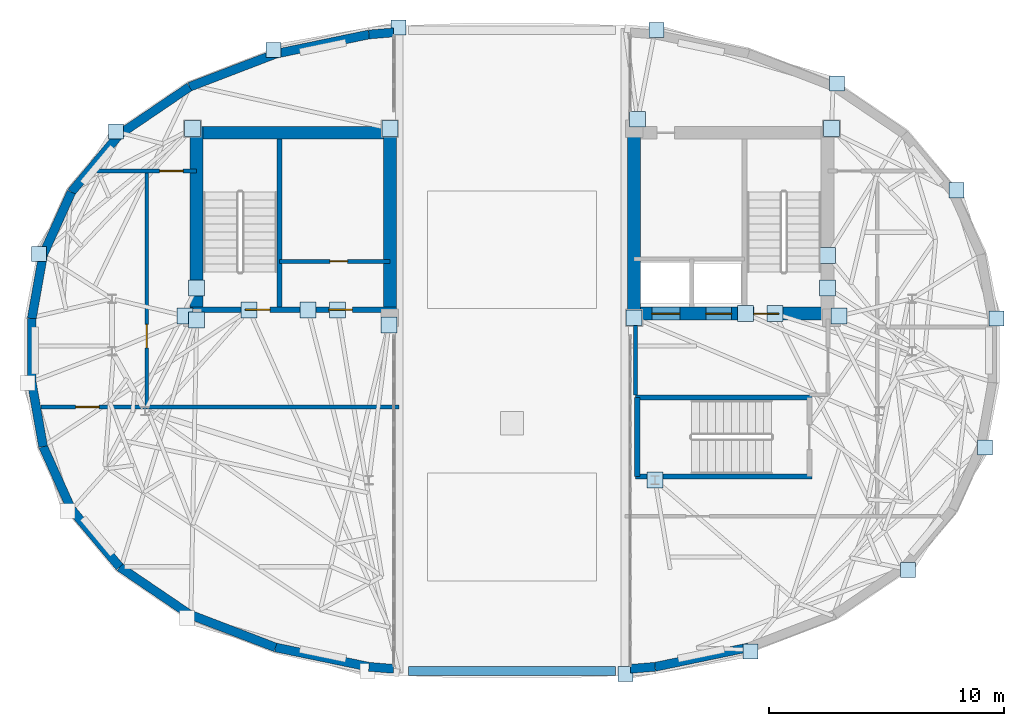
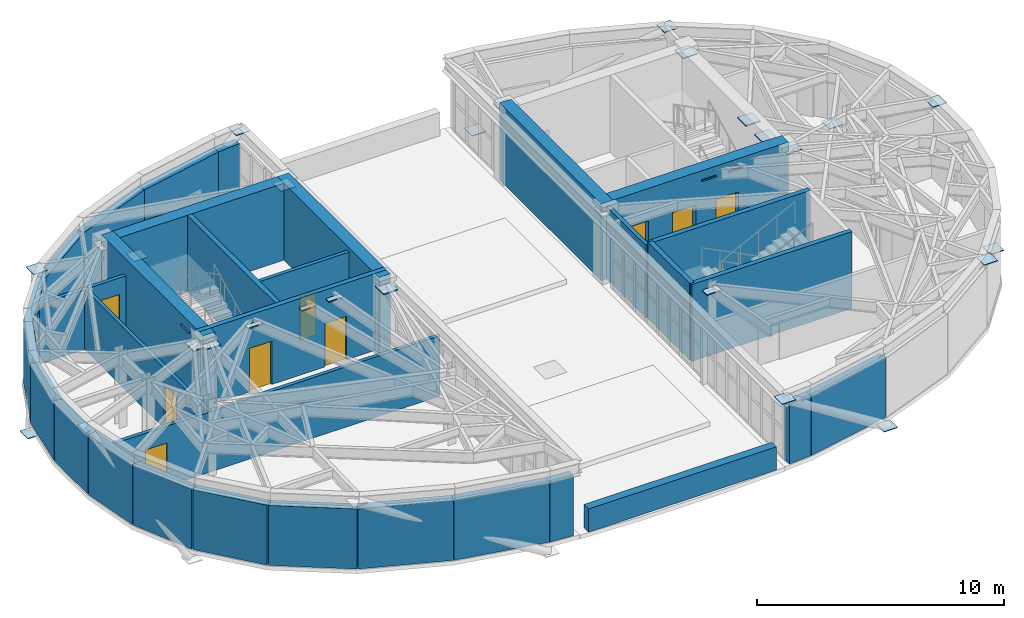
# One storey, part 9 of 13: 33 walls, 30 plates, 9 doors, 9 openings.
"""IFC4 building model written with IfcOpenShell, lengths in metres."""

from ifc_helpers import new_model, si_unit, direction, frame, frame_2d, origin, origin_2d, place, context, subcontext, project, spatial, rectangle, extrude, material, layer, layer_set, type_object, element, fill, save


model = new_model("IFC4")

# Units and contexts
model_context = context("Model", 3, precision=1e-05, world=origin(), true_north=direction((0.0, 1.0)))
body_context = subcontext(model_context, "Body", "Model", "MODEL_VIEW")
ifc_project = project(units=[si_unit("LENGTHUNIT", "METRE"), si_unit("AREAUNIT", "SQUARE_METRE"), si_unit("VOLUMEUNIT", "CUBIC_METRE"), si_unit("PLANEANGLEUNIT", "RADIAN"), si_unit("MASSUNIT", "GRAM", prefix="KILO")], contexts=[model_context])

# Site, building, storey
site_placement = place(None, origin())
site = spatial("IfcSite", under=ifc_project, at=site_placement, CompositionType="ELEMENT")
building_placement = place(site_placement, origin())
building = spatial("IfcBuilding", under=site, at=building_placement, Name="Keldmark Tower", CompositionType="ELEMENT")
storey_placement = place(building_placement, frame((0.0, 0.0, 269.199951171875)))
storey = spatial("IfcBuildingStorey", under=building, at=storey_placement, Name="L76", CompositionType="ELEMENT", Elevation=269.199951171875)

# Plates
ifc_material_1 = material(Name="Steel ASTM A572 Grade 50", Category="steel")
ifc_layer_1 = layer(ifc_material_1, 0.06005859375)
ifc_layer_set_1 = layer_set([ifc_layer_1], Name="Steel ASTM A572 Grade 50")
plate_type_1 = type_object("IfcPlateType", Name="Belt Truss Kink Node Assembly KN01 60 mm", PredefinedType="USERDEFINED", material=ifc_layer_set_1)
for number, where, z_axis, x_axis, name in (
    (1, (13.91162109375, 1.473388671875, 3.30810546875), (0.0, 0.0, 1.0), (1.0, 0.0, 0.0), "L76 Core Wall Cast-In Embed Plate 2184"),
    (2, (-13.91162109375, 1.473388671875, 3.30810546875), (0.0, 0.0, 1.0), (1.0, 0.0, 0.0), "L76 Core Wall Cast-In Embed Plate 2185"),
    (3, (-5.24072265625, 1.08251953125, 3.30810546875), (0.0, 0.0, 1.0), (1.0, 0.0, 0.0), "L76 Core Wall Cast-In Embed Plate 2186"),
    (4, (5.199951171875, 1.39990234375, 3.30810546875), (0.0, 0.0, 1.0), (1.0, 0.0, 0.0), "L76 Core Wall Cast-In Embed Plate 2187"),
    (5, (13.425048828125, 2.675048828125, 3.30810546875), (0.0, 0.0, 1.0), (1.0, 0.0, 0.0), "L76 Core Wall Cast-In Embed Plate 2188"),
    (6, (11.19287109375, 1.574951171875, 3.30810546875), (0.0, 0.0, 1.0), (1.0, 0.0, 0.0), "L76 Core Wall Cast-In Embed Plate 2189"),
    (7, (9.939208984375, 1.574951171875, 3.30810546875), (0.0, 0.0, 1.0), (1.0, 0.0, 0.0), "L76 Core Wall Cast-In Embed Plate 2190"),
    (8, (13.425048828125, 4.050048828125, 3.30810546875), (0.0, 0.0, 1.0), (1.0, 0.0, 0.0), "L76 Core Wall Cast-In Embed Plate 2191"),
    (9, (13.60009765625, 9.449951171875, 3.30810546875), (0.0, 0.0, 1.0), (1.0, 0.0, 0.0), "L76 Core Wall Cast-In Embed Plate 2192"),
    (10, (6.089599609375, -5.512939453125, 3.30810546875), (0.0, 0.0, 1.0), (1.0, 0.0, 0.0), "L76 Core Wall Cast-In Embed Plate 2193"),
    (11, (5.35009765625, 9.85009765625, 3.30810546875), (0.0, 0.0, 1.0), (1.0, 0.0, 0.0), "L76 Core Wall Cast-In Embed Plate 2194"),
    (12, (-13.425048828125, 2.675048828125, 3.30810546875), (0.0, 0.0, 1.0), (1.0, 0.0, 0.0), "L76 Core Wall Cast-In Embed Plate 2195"),
    (13, (-11.19287109375, 1.739990234375, 3.30810546875), (0.0, 0.0, 1.0), (1.0, 0.0, 0.0), "L76 Core Wall Cast-In Embed Plate 2196"),
    (14, (-13.60009765625, 9.449951171875, 3.30810546875), (0.0, 0.0, 1.0), (1.0, 0.0, 0.0), "L76 Core Wall Cast-In Embed Plate 2197"),
    (15, (-7.43212890625, 1.739990234375, 3.30810546875), (0.0, 0.0, 1.0), (1.0, 0.0, 0.0), "L76 Core Wall Cast-In Embed Plate 2198"),
    (16, (-13.425048828125, 1.300048828125, 3.30810546875), (0.0, 0.0, 1.0), (1.0, 0.0, 0.0), "L76 Core Wall Cast-In Embed Plate 2199"),
    (17, (-5.199951171875, 9.449951171875, 3.30810546875), (0.0, 0.0, 1.0), (1.0, 0.0, 0.0), "L76 Core Wall Cast-In Embed Plate 2200"),
    (18, (-8.685791015625, 1.739990234375, 3.30810546875), (0.0, 0.0, 1.0), (1.0, 0.0, 0.0), "L76 Core Wall Cast-In Embed Plate 2201"),
):
    element("IfcPlate", number, at=place(storey_placement, frame(where, z_axis=z_axis, x_axis=x_axis)), inside=storey, type_object=plate_type_1, Name=name, ObjectType="CAP PLATE", PredefinedType="USERDEFINED", context=body_context, shape_type="SweptSolid", body=[
        extrude(rectangle(XDim=0.679931640625, YDim=0.679931640625, at=origin_2d()), origin(), (0.0, 0.0, 1.0), 0.054931640625),
    ])
ifc_material_2 = material(Name="Steel ASTM A572 Grade 50", Category="steel")
ifc_layer_2 = layer(ifc_material_2, 0.030029296875)
ifc_layer_set_2 = layer_set([ifc_layer_2], Name="Steel ASTM A572 Grade 50")
plate_type_2 = type_object("IfcPlateType", Name="Crown Frame End Cap Plate CP01 30 mm", PredefinedType="SHEET", material=ifc_layer_set_2)
for number, where, z_axis, x_axis, name in (
    (19, (6.154296875, 13.644775390625, -0.46484375), (0.0, 0.0, 1.0), (1.0, 0.0, 0.0), "L76 Crown Frame Node Cap E00-0"),
    (20, (13.841796875, 11.381591796875, 3.3349609375), (0.0, 0.0, 1.0), (1.0, 0.0, 0.0), "L76 Crown Frame Node Cap E00-1"),
    (21, (18.927490234375, 6.82763671875, -0.46484375), (0.0, 0.0, 1.0), (1.0, 0.0, 0.0), "L76 Crown Frame Node Cap E04-0"),
    (22, (20.623291015625, 1.369873046875, 3.3349609375), (0.0, 0.0, 1.0), (1.0, 0.0, 0.0), "L76 Crown Frame Node Cap E04-1"),
    (23, (20.139892578125, -4.12158203125, -0.46484375), (0.0, 0.0, 1.0), (1.0, 0.0, 0.0), "L76 Crown Frame Node Cap E08-0"),
    (24, (16.84765625, -9.33251953125, 3.3349609375), (0.0, 0.0, 1.0), (1.0, 0.0, 0.0), "L76 Crown Frame Node Cap E08-1"),
    (25, (10.153076171875, -12.806884765625, -0.46484375), (0.0, 0.0, 1.0), (1.0, 0.0, 0.0), "L76 Crown Frame Node Cap E12-0"),
    (26, (4.8330078125, -13.7548828125, 3.3349609375), (0.0, 0.0, 1.0), (1.0, 0.0, 0.0), "L76 Crown Frame Node Cap E12-1"),
    (27, (-20.139892578125, 4.12158203125, -0.46484375), (0.0, 0.0, 1.0), (1.0, 0.0, 0.0), "L76 Crown Frame Node Cap W08-0"),
    (28, (-16.84765625, 9.33251953125, 3.3349609375), (0.0, 0.0, 1.0), (1.0, 0.0, 0.0), "L76 Crown Frame Node Cap W08-1"),
    (29, (-10.153076171875, 12.806884765625, -0.46484375), (0.0, 0.0, 1.0), (1.0, 0.0, 0.0), "L76 Crown Frame Node Cap W12-0"),
    (30, (-4.8330078125, 13.7548828125, 3.3349609375), (0.0, 0.0, 1.0), (1.0, 0.0, 0.0), "L76 Crown Frame Node Cap W12-1"),
):
    element("IfcPlate", number, at=place(storey_placement, frame(where, z_axis=z_axis, x_axis=x_axis)), inside=storey, type_object=plate_type_2, Name=name, PredefinedType="SHEET", context=body_context, shape_type="SweptSolid", body=[
        extrude(rectangle(XDim=0.639892578125, YDim=0.639892578125, at=origin_2d()), origin(), (0.0, 0.0, 1.0), 0.030029296875),
    ])

# Walls
ifc_material_3 = material(Name="Kasota Buff Limestone Ashlar Masonry", Category="masonry")
ifc_layer_3 = layer(ifc_material_3, 0.3798828125)
ifc_layer_set_3 = layer_set([ifc_layer_3], Name="Kasota Buff Limestone Ashlar Masonry")
wall_type_1 = type_object("IfcWallType", Name="Crown Kasota Limestone Screen Wall 380 mm", PredefinedType="ELEMENTEDWALL", material=ifc_layer_set_3)
wall_1_placement = place(storey_placement, frame((6.090087890625, -13.458740234375, 0.0), z_axis=(0.0, 0.0, 1.0), x_axis=(0.97915503901, 0.203114277148, 0.0)))
element("IfcWall", 31, at=wall_1_placement, inside=storey, type_object=wall_type_1, Name="L76 Crown Limestone Enclosure Wall E13", PredefinedType="ELEMENTEDWALL", context=body_context, shape_type="SweptSolid", body=[
    extrude(rectangle(XDim=4.062744140625, YDim=0.3798828125, at=frame_2d((2.03125, 0.0))), origin(), (0.0, 0.0, 1.0), 2.969970703125),
])
wall_2_placement = place(storey_placement, frame((5.0400390625, -13.544677734375, 0.0), z_axis=(0.0, 0.0, 1.0), x_axis=(0.99666772043, 0.081568713692, 0.0)))
element("IfcWall", 32, at=wall_2_placement, inside=storey, type_object=wall_type_1, Name="L76 Crown Limestone Enclosure Wall E14", PredefinedType="ELEMENTEDWALL", context=body_context, shape_type="SweptSolid", body=[
    extrude(rectangle(XDim=1.053466796875, YDim=0.3798828125, at=frame_2d((0.52685546875, 0.0))), origin(), (0.0, 0.0, 1.0), 2.969970703125),
])
wall_3_placement = place(storey_placement, frame((-10.068115234375, -12.633544921875, 0.0), z_axis=(0.0, 0.0, 1.0), x_axis=(0.97915503901, -0.203114277148, 0.0)))
element("IfcWall", 33, at=wall_3_placement, inside=storey, type_object=wall_type_1, Name="L76 Crown Limestone Enclosure Wall W01", PredefinedType="ELEMENTEDWALL", context=body_context, shape_type="SweptSolid", body=[
    extrude(rectangle(XDim=4.062744140625, YDim=0.3798828125, at=frame_2d((2.03125, 0.0))), origin(), (0.0, 0.0, 1.0), 2.969970703125),
])
wall_4_placement = place(storey_placement, frame((-13.729248046875, -11.227294921875, 0.0), z_axis=(0.0, 0.0, 1.0), x_axis=(0.933505951982, -0.358561902068, 0.0)))
element("IfcWall", 34, at=wall_4_placement, inside=storey, type_object=wall_type_1, Name="L76 Crown Limestone Enclosure Wall W02", PredefinedType="ELEMENTEDWALL", context=body_context, shape_type="SweptSolid", body=[
    extrude(rectangle(XDim=3.921875, YDim=0.3798828125, at=frame_2d((1.9609375, 0.0))), origin(), (0.0, 0.0, 1.0), 2.969970703125),
])
wall_5_placement = place(storey_placement, frame((-16.70263671875, -9.210205078125, 0.0), z_axis=(0.0, 0.0, 1.0), x_axis=(0.827549057152, -0.56139340752, 0.0)))
element("IfcWall", 35, at=wall_5_placement, inside=storey, type_object=wall_type_1, Name="L76 Crown Limestone Enclosure Wall W03", PredefinedType="ELEMENTEDWALL", context=body_context, shape_type="SweptSolid", body=[
    extrude(rectangle(XDim=3.593017578125, YDim=0.3798828125, at=frame_2d((1.79638671875, 0.0))), origin(), (0.0, 0.0, 1.0), 2.969970703125),
])
wall_6_placement = place(storey_placement, frame((-18.757568359375, -6.74755859375, 0.0), z_axis=(0.0, 0.0, 1.0), x_axis=(0.640685893821, -0.76780309029, 0.0)))
element("IfcWall", 36, at=wall_6_placement, inside=storey, type_object=wall_type_1, Name="L76 Crown Limestone Enclosure Wall W04", PredefinedType="ELEMENTEDWALL", context=body_context, shape_type="SweptSolid", body=[
    extrude(rectangle(XDim=3.207275390625, YDim=0.3798828125, at=frame_2d((1.603515625, 0.0))), origin(), (0.0, 0.0, 1.0), 2.969970703125),
])
wall_7_placement = place(storey_placement, frame((-19.958740234375, -4.08349609375, 0.0), z_axis=(0.0, 0.0, 1.0), x_axis=(0.411031522025, -0.911621131777, 0.0)))
element("IfcWall", 37, at=wall_7_placement, inside=storey, type_object=wall_type_1, Name="L76 Crown Limestone Enclosure Wall W05", PredefinedType="ELEMENTEDWALL", context=body_context, shape_type="SweptSolid", body=[
    extrude(rectangle(XDim=2.92236328125, YDim=0.3798828125, at=frame_2d((1.461181640625, 0.0))), origin(), (0.0, 0.0, 1.0), 2.969970703125),
])
wall_8_placement = place(storey_placement, frame((-20.442138671875, -1.36083984375, 0.0), z_axis=(0.0, 0.0, 1.0), x_axis=(0.174812712861, -0.984601703951, 0.0)))
element("IfcWall", 38, at=wall_8_placement, inside=storey, type_object=wall_type_1, Name="L76 Crown Limestone Enclosure Wall W06", PredefinedType="ELEMENTEDWALL", context=body_context, shape_type="SweptSolid", body=[
    extrude(rectangle(XDim=2.76513671875, YDim=0.3798828125, at=frame_2d((1.382568359375, 0.0))), origin(), (0.0, 0.0, 1.0), 2.969970703125),
])
wall_9_placement = place(storey_placement, frame((-20.442138671875, 1.36083984375, 0.0), z_axis=(0.0, 0.0, 1.0), x_axis=(0.0, -1.0, 0.0)))
element("IfcWall", 39, at=wall_9_placement, inside=storey, type_object=wall_type_1, Name="L76 Crown Limestone Enclosure Wall W07", PredefinedType="ELEMENTEDWALL", context=body_context, shape_type="SweptSolid", body=[
    extrude(rectangle(XDim=2.7216796875, YDim=0.3798828125, at=frame_2d((1.36083984375, 0.0))), origin(), (0.0, 0.0, 1.0), 2.969970703125),
])
wall_10_placement = place(storey_placement, frame((-19.958740234375, 4.08349609375, 0.0), z_axis=(0.0, 0.0, 1.0), x_axis=(-0.174812712861, -0.984601703951, 0.0)))
element("IfcWall", 40, at=wall_10_placement, inside=storey, type_object=wall_type_1, Name="L76 Crown Limestone Enclosure Wall W08", PredefinedType="ELEMENTEDWALL", context=body_context, shape_type="SweptSolid", body=[
    extrude(rectangle(XDim=2.76513671875, YDim=0.3798828125, at=frame_2d((1.382568359375, 0.0))), origin(), (0.0, 0.0, 1.0), 2.969970703125),
])
wall_11_placement = place(storey_placement, frame((-18.757568359375, 6.74755859375, 0.0), z_axis=(0.0, 0.0, 1.0), x_axis=(-0.411031522025, -0.911621131777, 0.0)))
element("IfcWall", 41, at=wall_11_placement, inside=storey, type_object=wall_type_1, Name="L76 Crown Limestone Enclosure Wall W09", PredefinedType="ELEMENTEDWALL", context=body_context, shape_type="SweptSolid", body=[
    extrude(rectangle(XDim=2.92236328125, YDim=0.3798828125, at=frame_2d((1.461181640625, 0.0))), origin(), (0.0, 0.0, 1.0), 2.969970703125),
])
wall_12_placement = place(storey_placement, frame((-16.70263671875, 9.210205078125, 0.0), z_axis=(0.0, 0.0, 1.0), x_axis=(-0.640685893821, -0.76780309029, 0.0)))
element("IfcWall", 42, at=wall_12_placement, inside=storey, type_object=wall_type_1, Name="L76 Crown Limestone Enclosure Wall W10", PredefinedType="ELEMENTEDWALL", context=body_context, shape_type="SweptSolid", body=[
    extrude(rectangle(XDim=3.207275390625, YDim=0.3798828125, at=frame_2d((1.603515625, 0.0))), origin(), (0.0, 0.0, 1.0), 2.969970703125),
])
wall_13_placement = place(storey_placement, frame((-13.729248046875, 11.227294921875, 0.0), z_axis=(0.0, 0.0, 1.0), x_axis=(-0.827549057152, -0.56139340752, 0.0)))
element("IfcWall", 43, at=wall_13_placement, inside=storey, type_object=wall_type_1, Name="L76 Crown Limestone Enclosure Wall W11", PredefinedType="ELEMENTEDWALL", context=body_context, shape_type="SweptSolid", body=[
    extrude(rectangle(XDim=3.593017578125, YDim=0.3798828125, at=frame_2d((1.79638671875, 0.0))), origin(), (0.0, 0.0, 1.0), 2.969970703125),
])
wall_14_placement = place(storey_placement, frame((-10.068115234375, 12.633544921875, 0.0), z_axis=(0.0, 0.0, 1.0), x_axis=(-0.933505951982, -0.358561902068, 0.0)))
element("IfcWall", 44, at=wall_14_placement, inside=storey, type_object=wall_type_1, Name="L76 Crown Limestone Enclosure Wall W12", PredefinedType="ELEMENTEDWALL", context=body_context, shape_type="SweptSolid", body=[
    extrude(rectangle(XDim=3.921875, YDim=0.3798828125, at=frame_2d((1.9609375, 0.0))), origin(), (0.0, 0.0, 1.0), 2.969970703125),
])
wall_15_placement = place(storey_placement, frame((-6.090087890625, 13.458740234375, 0.0), z_axis=(0.0, 0.0, 1.0), x_axis=(-0.97915503901, -0.203114277148, 0.0)))
element("IfcWall", 45, at=wall_15_placement, inside=storey, type_object=wall_type_1, Name="L76 Crown Limestone Enclosure Wall W13", PredefinedType="ELEMENTEDWALL", context=body_context, shape_type="SweptSolid", body=[
    extrude(rectangle(XDim=4.062744140625, YDim=0.3798828125, at=frame_2d((2.03125, 0.0))), origin(), (0.0, 0.0, 1.0), 2.969970703125),
])
for number, where, z_axis, x_axis, name in (
    (46, (-5.0400390625, 13.544677734375, 0.0), (0.0, 0.0, 1.0), (-0.99666772043, -0.081568713692, 0.0), "L76 Crown Limestone Enclosure Wall W14"),
    (47, (-6.090087890625, -13.458740234375, 0.0), (0.0, 0.0, 1.0), (0.99666772043, -0.081568713692, 0.0), "L76 Crown Limestone Enclosure Wall W16"),
):
    element("IfcWall", number, at=place(storey_placement, frame(where, z_axis=z_axis, x_axis=x_axis)), inside=storey, type_object=wall_type_1, Name=name, PredefinedType="ELEMENTEDWALL", context=body_context, shape_type="SweptSolid", body=[
        extrude(rectangle(XDim=1.053466796875, YDim=0.3798828125, at=frame_2d((0.52685546875, 0.0))), origin(), (0.0, 0.0, 1.0), 2.969970703125),
    ])
wall_16_placement = place(storey_placement, frame((-4.39990234375, -13.638916015625, 0.0), z_axis=(0.0, 0.0, 1.0), x_axis=(1.0, 0.0, 0.0)))
element("IfcWall", 48, at=wall_16_placement, inside=storey, type_object=wall_type_1, Name="L76 Crown Sky-Slot Maintenance Parapet S", PredefinedType="PARAPET", context=body_context, shape_type="SweptSolid", body=[
    extrude(rectangle(XDim=8.7998046875, YDim=0.3798828125, at=frame_2d((4.39990234375, 0.0))), origin(), (0.0, 0.0, 1.0), 1.150146484375),
])
ifc_material_4 = material(Name="Concrete C50/60", Category="concrete")
ifc_layer_4 = layer(ifc_material_4, 0.550048828125)
ifc_layer_set_4 = layer_set([ifc_layer_4], Name="Concrete C50/60")
wall_type_2 = type_object("IfcWallType", Name="High-Rise Core Shear Wall 550 mm", PredefinedType="SHEAR", material=ifc_layer_set_4)
wall_17_placement = place(storey_placement, frame((-13.425048828125, 1.300048828125, 0.0), z_axis=(0.0, 0.0, 1.0), x_axis=(0.0, 1.0, 0.0)))
element("IfcWall", 49, at=wall_17_placement, inside=storey, type_object=wall_type_2, Name="L76 West Crown Core West Wall", PredefinedType="SHEAR", context=body_context, shape_type="SweptSolid", body=[
    extrude(rectangle(XDim=8.25, YDim=0.550048828125, at=frame_2d((4.125, 0.0))), origin(), (0.0, 0.0, 1.0), 3.800048828125),
])
wall_18_placement = place(storey_placement, frame((-13.699951171875, 9.27490234375, 0.0), z_axis=(0.0, 0.0, 1.0), x_axis=(1.0, 0.0, 0.0)))
element("IfcWall", 50, at=wall_18_placement, inside=storey, type_object=wall_type_2, Name="L76 West Crown Core North Wall", PredefinedType="SHEAR", context=body_context, shape_type="SweptSolid", body=[
    extrude(rectangle(XDim=8.77490234375, YDim=0.550048828125, at=frame_2d((4.387451171875, 0.0))), origin(), (0.0, 0.0, 1.0), 3.800048828125),
])
wall_19_placement = place(storey_placement, frame((-5.199951171875, 1.300048828125, 0.0), z_axis=(0.0, 0.0, 1.0), x_axis=(0.0, 1.0, 0.0)))
element("IfcWall", 51, at=wall_19_placement, inside=storey, type_object=wall_type_2, Name="L76 West Crown Core Slot Wall", PredefinedType="SHEAR", context=body_context, shape_type="SweptSolid", body=[
    extrude(rectangle(XDim=8.25, YDim=0.550048828125, at=frame_2d((4.125, 0.0))), origin(), (0.0, 0.0, 1.0), 3.800048828125),
])

# Wall, openings, doors
wall_20_placement = place(storey_placement, frame((13.699951171875, 1.574951171875, 0.0), z_axis=(0.0, 0.0, 1.0), x_axis=(-1.0, 0.0, 0.0)))
wall_20 = element("IfcWall", 52, at=wall_20_placement, inside=storey, type_object=wall_type_2, Name="L76 East Crown Core South Wall", PredefinedType="SHEAR", context=body_context, shape_type="SweptSolid", body=[
    extrude(rectangle(XDim=8.77490234375, YDim=0.550048828125, at=frame_2d((4.387451171875, 0.0))), origin(), (0.0, 0.0, 1.0), 3.800048828125),
])
opening_1_placement = place(wall_20_placement, frame((2.35009765625, 0.0, 0.0)))
opening_1 = element("IfcOpeningElement", 53, at=opening_1_placement, cuts=wall_20, Name="Opening D-ST105", PredefinedType="OPENING", context=body_context, shape_type="SweptSolid", body=[
    extrude(rectangle(XDim=1.050048828125, YDim=2.14990234375, at=frame_2d((0.52490234375, 1.074951171875))), frame((0.0, 0.284912109375, 0.0), z_axis=(0.0, -1.0, 0.0), x_axis=(1.0, 0.0, 0.0)), (0.0, 0.0, 1.0), 0.570068359375),
])
opening_2_placement = place(wall_20_placement, frame((6.550048828125, 0.0, 0.0)))
opening_2 = element("IfcOpeningElement", 54, at=opening_2_placement, cuts=wall_20, Name="Opening LD-120", PredefinedType="OPENING", context=body_context, shape_type="SweptSolid", body=[
    extrude(rectangle(XDim=1.199951171875, YDim=2.199951171875, at=frame_2d((0.60009765625, 1.10009765625))), frame((0.0, 0.284912109375, 0.0), z_axis=(0.0, -1.0, 0.0), x_axis=(1.0, 0.0, 0.0)), (0.0, 0.0, 1.0), 0.570068359375),
])
opening_3_placement = place(wall_20_placement, frame((4.35009765625, 0.0, 0.0)))
opening_3 = element("IfcOpeningElement", 55, at=opening_3_placement, cuts=wall_20, Name="Opening LD-110", PredefinedType="OPENING", context=body_context, shape_type="SweptSolid", body=[
    extrude(rectangle(XDim=1.10009765625, YDim=2.199951171875, at=frame_2d((0.550048828125, 1.10009765625))), frame((0.0, 0.284912109375, 0.0), z_axis=(0.0, -1.0, 0.0), x_axis=(1.0, 0.0, 0.0)), (0.0, 0.0, 1.0), 0.570068359375),
])
ifc_material_5 = material(Name="Brushed Bronze Hoistway Sliding Leaf", Category="metal")
door_type_1 = type_object("IfcDoorType", Name="Lift Landing Sliding Door 1100x2200", OperationType="SLIDING_TO_LEFT", PredefinedType="DOOR", material=ifc_material_5)
door_1_placement = place(opening_3_placement, origin())
door_1 = element("IfcDoor", 56, at=door_1_placement, inside=storey, type_object=door_type_1, Name="L76 Lift Landing Sliding Door 1100x2200 LD-EL-FS2-L76", OperationType="SLIDING_TO_LEFT", OverallHeight=2.199951171875, OverallWidth=1.10009765625, PredefinedType="DOOR", context=body_context, shape_type="SweptSolid", body=[
    extrude(rectangle(XDim=1.10009765625, YDim=2.199951171875, at=frame_2d((0.550048828125, 1.10009765625))), frame((0.0, 0.02490234375, 0.0), z_axis=(0.0, -1.0, 0.0), x_axis=(1.0, 0.0, 0.0)), (0.0, 0.0, 1.0), 0.050048828125),
])
fill(opening_3, door_1)
ifc_material_6 = material(Name="Heavy-Duty Brushed Metal Hoistway Sliding Leaf", Category="metal")
door_type_2 = type_object("IfcDoorType", Name="Service Lift Sliding Door 1200x2200", OperationType="SLIDING_TO_RIGHT", PredefinedType="DOOR", material=ifc_material_6)
door_2_placement = place(opening_2_placement, origin())
door_2 = element("IfcDoor", 57, at=door_2_placement, inside=storey, type_object=door_type_2, Name="L76 Service Lift Sliding Door 1200x2200 LD-EL-SV1-L76", OperationType="SLIDING_TO_RIGHT", OverallHeight=2.199951171875, OverallWidth=1.199951171875, PredefinedType="DOOR", context=body_context, shape_type="SweptSolid", body=[
    extrude(rectangle(XDim=1.199951171875, YDim=2.199951171875, at=frame_2d((0.60009765625, 1.10009765625))), frame((0.0, 0.02490234375, 0.0), z_axis=(0.0, -1.0, 0.0), x_axis=(1.0, 0.0, 0.0)), (0.0, 0.0, 1.0), 0.050048828125),
])
fill(opening_2, door_2)
ifc_material_7 = material(Name="Hollow Metal Fire-Rated Door Assembly", Category="metal")
door_type_3 = type_object("IfcDoorType", Name="Stair Fire Door 1050x2150", OperationType="NOTDEFINED", PredefinedType="DOOR", material=ifc_material_7)
door_3_placement = place(opening_1_placement, origin())
door_3 = element("IfcDoor", 58, at=door_3_placement, inside=storey, type_object=door_type_3, Name="L76 Stair Fire Door 1050x2150 D-ST2-L76", OperationType="SINGLE_SWING_LEFT", OverallHeight=2.14990234375, OverallWidth=1.050048828125, PredefinedType="DOOR", context=body_context, shape_type="SweptSolid", body=[
    extrude(rectangle(XDim=1.050048828125, YDim=2.14990234375, at=frame_2d((0.52490234375, 1.074951171875))), frame((0.0, 0.02490234375, 0.0), z_axis=(0.0, -1.0, 0.0), x_axis=(1.0, 0.0, 0.0)), (0.0, 0.0, 1.0), 0.050048828125),
])
fill(opening_1, door_3)

# Wall
wall_21_placement = place(storey_placement, frame((5.199951171875, 1.300048828125, 0.0), z_axis=(0.0, 0.0, 1.0), x_axis=(0.0, 1.0, 0.0)))
element("IfcWall", 59, at=wall_21_placement, inside=storey, type_object=wall_type_2, Name="L76 East Crown Core Slot Wall", PredefinedType="SHEAR", context=body_context, shape_type="SweptSolid", body=[
    extrude(rectangle(XDim=8.25, YDim=0.550048828125, at=frame_2d((4.125, 0.0))), origin(), (0.0, 0.0, 1.0), 3.800048828125),
])

# Wall, opening, door
ifc_material_8 = material(Name="Type X Fire-Rated Gypsum Partition Assembly", Category="gypsum")
ifc_layer_5 = layer(ifc_material_8, 0.1650390625)
ifc_layer_set_5 = layer_set([ifc_layer_5], Name="Type X Fire-Rated Gypsum Partition Assembly")
wall_type_3 = type_object("IfcWallType", Name="Rated Partition 165 mm", PredefinedType="PARTITIONING", material=ifc_layer_set_5)
wall_22_placement = place(storey_placement, frame((-5.199951171875, 3.800048828125, 0.0), z_axis=(0.0, 0.0, 1.0), x_axis=(-1.0, 0.0, 0.0)))
wall_22 = element("IfcWall", 60, at=wall_22_placement, inside=storey, type_object=wall_type_3, Name="L76 Rated Partition 165 mm WC-LOB-E", PredefinedType="PARTITIONING", context=body_context, shape_type="SweptSolid", body=[
    extrude(rectangle(XDim=4.68994140625, YDim=0.1650390625, at=frame_2d((2.344970703125, 0.0))), origin(), (0.0, 0.0, 1.0), 3.60009765625),
])
opening_4_placement = place(wall_22_placement, frame((1.800048828125, 0.0, 0.0)))
opening_4 = element("IfcOpeningElement", 61, at=opening_4_placement, cuts=wall_22, Name="Opening D-RS075", PredefinedType="OPENING", context=body_context, shape_type="SweptSolid", body=[
    extrude(rectangle(XDim=0.75, YDim=2.10009765625, at=frame_2d((0.375, 1.050048828125))), frame((0.0, 0.092529296875, 0.0), z_axis=(0.0, -1.0, 0.0), x_axis=(1.0, 0.0, 0.0)), (0.0, 0.0, 1.0), 0.18505859375),
])
ifc_material_9 = material(Name="Galvanized Fire-Rated Access Leaf", Category="metal")
door_type_4 = type_object("IfcDoorType", Name="Riser Access Door 750x2100", OperationType="NOTDEFINED", PredefinedType="DOOR", material=ifc_material_9)
door_4_placement = place(opening_4_placement, origin())
door_4 = element("IfcDoor", 62, at=door_4_placement, inside=storey, type_object=door_type_4, Name="L76 Riser Access Door 750x2100 D-WC-RIS-L76", OperationType="SINGLE_SWING_RIGHT", OverallHeight=2.10009765625, OverallWidth=0.75, PredefinedType="DOOR", context=body_context, shape_type="SweptSolid", body=[
    extrude(rectangle(XDim=0.75, YDim=2.10009765625, at=frame_2d((0.375, 1.050048828125))), frame((0.0, 0.02490234375, 0.0), z_axis=(0.0, -1.0, 0.0), x_axis=(1.0, 0.0, 0.0)), (0.0, 0.0, 1.0), 0.050048828125),
])
fill(opening_4, door_4)

# Wall
wall_23_placement = place(storey_placement, frame((5.260009765625, -1.8798828125, 0.0), z_axis=(0.0, 0.0, 1.0), x_axis=(0.0, 1.0, 0.0)))
element("IfcWall", 63, at=wall_23_placement, inside=storey, type_object=wall_type_3, Name="L76 Rated Partition 165 mm EC-FSAE-W", PredefinedType="PARTITIONING", context=body_context, shape_type="SweptSolid", body=[
    extrude(rectangle(XDim=3.22998046875, YDim=0.1650390625, at=frame_2d((1.614990234375, 0.0))), origin(), (0.0, 0.0, 1.0), 3.60009765625),
])

# Wall, opening, door
wall_24_placement = place(storey_placement, frame((-20.056396484375, -2.39990234375, 0.0), z_axis=(0.0, 0.0, 1.0), x_axis=(1.0, 0.0, 0.0)))
wall_24 = element("IfcWall", 64, at=wall_24_placement, inside=storey, type_object=wall_type_3, Name="L76 Rated Partition 165 mm WC-SCOR", PredefinedType="PARTITIONING", context=body_context, shape_type="SweptSolid", body=[
    extrude(rectangle(XDim=15.25634765625, YDim=0.1650390625, at=frame_2d((7.628173828125, 0.0))), origin(), (0.0, 0.0, 1.0), 2.987060546875),
])
opening_5_placement = place(wall_24_placement, frame((1.481689453125, 0.0, 0.0)))
opening_5 = element("IfcOpeningElement", 65, at=opening_5_placement, cuts=wall_24, Name="Opening D-FD100", PredefinedType="OPENING", context=body_context, shape_type="SweptSolid", body=[
    extrude(rectangle(XDim=1.0, YDim=2.14990234375, at=frame_2d((0.5, 1.074951171875))), frame((0.0, 0.092529296875, 0.0), z_axis=(0.0, -1.0, 0.0), x_axis=(1.0, 0.0, 0.0)), (0.0, 0.0, 1.0), 0.18505859375),
])
ifc_material_10 = material(Name="Hollow Metal Fire-Rated Corridor Door", Category="metal")
door_type_5 = type_object("IfcDoorType", Name="Fire Door 1000x2150", OperationType="NOTDEFINED", PredefinedType="DOOR", material=ifc_material_10)
door_5_placement = place(opening_5_placement, origin())
door_5 = element("IfcDoor", 66, at=door_5_placement, inside=storey, type_object=door_type_5, Name="L76 Fire Door 1000x2150 D-WCPS-L76", OperationType="SINGLE_SWING_LEFT", OverallHeight=2.14990234375, OverallWidth=1.0, PredefinedType="DOOR", context=body_context, shape_type="SweptSolid", body=[
    extrude(rectangle(XDim=1.0, YDim=2.14990234375, at=frame_2d((0.5, 1.074951171875))), frame((0.0, 0.02490234375, 0.0), z_axis=(0.0, -1.0, 0.0), x_axis=(1.0, 0.0, 0.0)), (0.0, 0.0, 1.0), 0.050048828125),
])
fill(opening_5, door_5)

wall_25_placement = place(storey_placement, frame((-15.550048828125, -2.39990234375, 0.0), z_axis=(0.0, 0.0, 1.0), x_axis=(0.0, 1.0, 0.0)))
wall_25 = element("IfcWall", 67, at=wall_25_placement, inside=storey, type_object=wall_type_3, Name="L76 Rated Partition 165 mm WC-WCOR", PredefinedType="PARTITIONING", context=body_context, shape_type="SweptSolid", body=[
    extrude(rectangle(XDim=10.0498046875, YDim=0.1650390625, at=frame_2d((5.02490234375, 0.0))), origin(), (0.0, 0.0, 1.0), 2.987060546875),
])
opening_6_placement = place(wall_25_placement, frame((2.52001953125, 0.0, 0.0)))
opening_6 = element("IfcOpeningElement", 68, at=opening_6_placement, cuts=wall_25, Name="Opening D-FD100", PredefinedType="OPENING", context=body_context, shape_type="SweptSolid", body=[
    extrude(rectangle(XDim=1.0, YDim=2.14990234375, at=frame_2d((0.5, 1.074951171875))), frame((0.0, 0.092529296875, 0.0), z_axis=(0.0, -1.0, 0.0), x_axis=(1.0, 0.0, 0.0)), (0.0, 0.0, 1.0), 0.18505859375),
])
door_6_placement = place(opening_6_placement, origin())
door_6 = element("IfcDoor", 69, at=door_6_placement, inside=storey, type_object=door_type_5, Name="L76 Fire Door 1000x2150 D-WCPW-L76", OperationType="SINGLE_SWING_RIGHT", OverallHeight=2.14990234375, OverallWidth=1.0, PredefinedType="DOOR", context=body_context, shape_type="SweptSolid", body=[
    extrude(rectangle(XDim=1.0, YDim=2.14990234375, at=frame_2d((0.5, 1.074951171875))), frame((0.0, 0.02490234375, 0.0), z_axis=(0.0, -1.0, 0.0), x_axis=(1.0, 0.0, 0.0)), (0.0, 0.0, 1.0), 0.050048828125),
])
fill(opening_6, door_6)

wall_26_placement = place(storey_placement, frame((-17.74658203125, 7.64990234375, 0.0), z_axis=(0.0, 0.0, 1.0), x_axis=(1.0, 0.0, 0.0)))
wall_26 = element("IfcWall", 70, at=wall_26_placement, inside=storey, type_object=wall_type_3, Name="L76 Rated Partition 165 mm WC-NCAP", PredefinedType="PARTITIONING", context=body_context, shape_type="SweptSolid", body=[
    extrude(rectangle(XDim=4.321533203125, YDim=0.1650390625, at=frame_2d((2.16064453125, 0.0))), origin(), (0.0, 0.0, 1.0), 2.968017578125),
])
opening_7_placement = place(wall_26_placement, frame((2.746826171875, 0.0, 0.0)))
opening_7 = element("IfcOpeningElement", 71, at=opening_7_placement, cuts=wall_26, Name="Opening D-FD100", PredefinedType="OPENING", context=body_context, shape_type="SweptSolid", body=[
    extrude(rectangle(XDim=1.0, YDim=2.14990234375, at=frame_2d((0.5, 1.074951171875))), frame((0.0, 0.092529296875, 0.0), z_axis=(0.0, -1.0, 0.0), x_axis=(1.0, 0.0, 0.0)), (0.0, 0.0, 1.0), 0.18505859375),
])
door_7_placement = place(opening_7_placement, origin())
door_7 = element("IfcDoor", 72, at=door_7_placement, inside=storey, type_object=door_type_5, Name="L76 Fire Door 1000x2150 D-WCPN-L76", OperationType="SINGLE_SWING_LEFT", OverallHeight=2.14990234375, OverallWidth=1.0, PredefinedType="DOOR", context=body_context, shape_type="SweptSolid", body=[
    extrude(rectangle(XDim=1.0, YDim=2.14990234375, at=frame_2d((0.5, 1.074951171875))), frame((0.0, 0.02490234375, 0.0), z_axis=(0.0, -1.0, 0.0), x_axis=(1.0, 0.0, 0.0)), (0.0, 0.0, 1.0), 0.050048828125),
])
fill(opening_7, door_7)

# Wall, openings, doors
ifc_material_11 = material(Name="Concrete C50/60", Category="concrete")
ifc_layer_6 = layer(ifc_material_11, 0.219970703125)
ifc_layer_set_6 = layer_set([ifc_layer_6], Name="Concrete C50/60")
wall_type_4 = type_object("IfcWallType", Name="Stair Core Shear Wall 220 mm", PredefinedType="SHEAR", material=ifc_layer_set_6)
wall_27_placement = place(storey_placement, frame((-4.925048828125, 1.739990234375, 0.0), z_axis=(0.0, 0.0, 1.0), x_axis=(-1.0, 0.0, 0.0)))
wall_27 = element("IfcWall", 73, at=wall_27_placement, inside=storey, type_object=wall_type_4, Name="L76 West Crown Core South Wall", PredefinedType="SHEAR", context=body_context, shape_type="SweptSolid", body=[
    extrude(rectangle(XDim=8.77490234375, YDim=0.219970703125, at=frame_2d((4.387451171875, 0.0))), origin(), (0.0, 0.0, 1.0), 3.800048828125),
])
opening_8_placement = place(wall_27_placement, frame((5.375, 0.0, 0.0)))
opening_8 = element("IfcOpeningElement", 74, at=opening_8_placement, cuts=wall_27, Name="Opening D-ST105", PredefinedType="OPENING", context=body_context, shape_type="SweptSolid", body=[
    extrude(rectangle(XDim=1.050048828125, YDim=2.14990234375, at=frame_2d((0.52490234375, 1.074951171875))), frame((0.0, 0.119873046875, 0.0), z_axis=(0.0, -1.0, 0.0), x_axis=(1.0, 0.0, 0.0)), (0.0, 0.0, 1.0), 0.239990234375),
])
opening_9_placement = place(wall_27_placement, frame((1.875, 0.0, 0.0)))
opening_9 = element("IfcOpeningElement", 75, at=opening_9_placement, cuts=wall_27, Name="Opening D-FD100", PredefinedType="OPENING", context=body_context, shape_type="SweptSolid", body=[
    extrude(rectangle(XDim=1.0, YDim=2.14990234375, at=frame_2d((0.5, 1.074951171875))), frame((0.0, 0.119873046875, 0.0), z_axis=(0.0, -1.0, 0.0), x_axis=(1.0, 0.0, 0.0)), (0.0, 0.0, 1.0), 0.239990234375),
])
door_8_placement = place(opening_9_placement, origin())
door_8 = element("IfcDoor", 76, at=door_8_placement, inside=storey, type_object=door_type_5, Name="L76 Fire Door 1000x2150 D-WC-LOB-L76", OperationType="SINGLE_SWING_LEFT", OverallHeight=2.14990234375, OverallWidth=1.0, PredefinedType="DOOR", context=body_context, shape_type="SweptSolid", body=[
    extrude(rectangle(XDim=1.0, YDim=2.14990234375, at=frame_2d((0.5, 1.074951171875))), frame((0.0, 0.02490234375, 0.0), z_axis=(0.0, -1.0, 0.0), x_axis=(1.0, 0.0, 0.0)), (0.0, 0.0, 1.0), 0.050048828125),
])
fill(opening_9, door_8)
door_9_placement = place(opening_8_placement, origin())
door_9 = element("IfcDoor", 77, at=door_9_placement, inside=storey, type_object=door_type_3, Name="L76 Stair Fire Door 1050x2150 D-ST1-L76", OperationType="SINGLE_SWING_RIGHT", OverallHeight=2.14990234375, OverallWidth=1.050048828125, PredefinedType="DOOR", context=body_context, shape_type="SweptSolid", body=[
    extrude(rectangle(XDim=1.050048828125, YDim=2.14990234375, at=frame_2d((0.52490234375, 1.074951171875))), frame((0.0, 0.02490234375, 0.0), z_axis=(0.0, -1.0, 0.0), x_axis=(1.0, 0.0, 0.0)), (0.0, 0.0, 1.0), 0.050048828125),
])
fill(opening_8, door_9)

# Walls
wall_28_placement = place(storey_placement, frame((-9.889892578125, 1.85009765625, 0.0), z_axis=(0.0, 0.0, 1.0), x_axis=(0.0, 1.0, 0.0)))
element("IfcWall", 78, at=wall_28_placement, inside=storey, type_object=wall_type_4, Name="L76 West Stair Core Shear Wall", PredefinedType="SHEAR", context=body_context, shape_type="SweptSolid", body=[
    extrude(rectangle(XDim=7.14990234375, YDim=0.219970703125, at=frame_2d((3.574951171875, 0.0))), origin(), (0.0, 0.0, 1.0), 3.800048828125),
])
for number, where, z_axis, x_axis, name in (
    (79, (5.260009765625, -1.989990234375, 0.0), (0.0, 0.0, 1.0), (1.0, 0.0, 0.0), "L76 East Crown Stair ST4 North Wall"),
    (80, (5.260009765625, -5.360107421875, 0.0), (0.0, 0.0, 1.0), (1.0, 0.0, 0.0), "L76 East Crown Stair ST4 South Wall"),
):
    element("IfcWall", number, at=place(storey_placement, frame(where, z_axis=z_axis, x_axis=x_axis)), inside=storey, type_object=wall_type_4, Name=name, PredefinedType="SHEAR", context=body_context, shape_type="SweptSolid", body=[
        extrude(rectangle(XDim=7.5, YDim=0.219970703125, at=frame_2d((3.75, 0.0))), origin(), (0.0, 0.0, 1.0), 3.800048828125),
    ])
wall_29_placement = place(storey_placement, frame((5.330078125, -5.360107421875, 0.0), z_axis=(0.0, 0.0, 1.0), x_axis=(0.0, 1.0, 0.0)))
element("IfcWall", 81, at=wall_29_placement, inside=storey, type_object=wall_type_4, Name="L76 East Crown Stair ST4 West Wall", PredefinedType="SHEAR", context=body_context, shape_type="SweptSolid", body=[
    extrude(rectangle(XDim=3.3701171875, YDim=0.219970703125, at=frame_2d((1.68505859375, 0.0))), origin(), (0.0, 0.0, 1.0), 3.800048828125),
])

save(model, "model.ifc")
